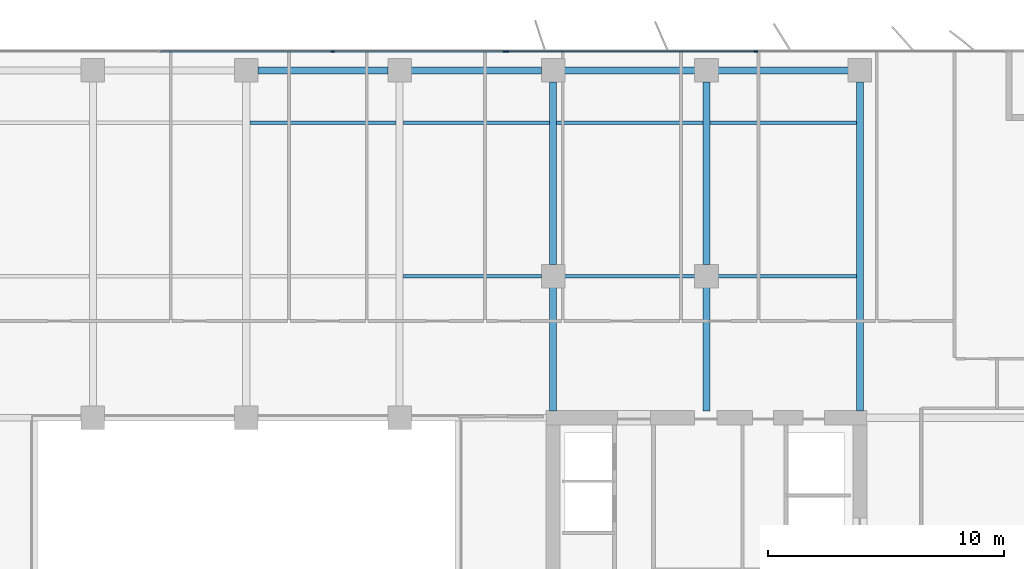
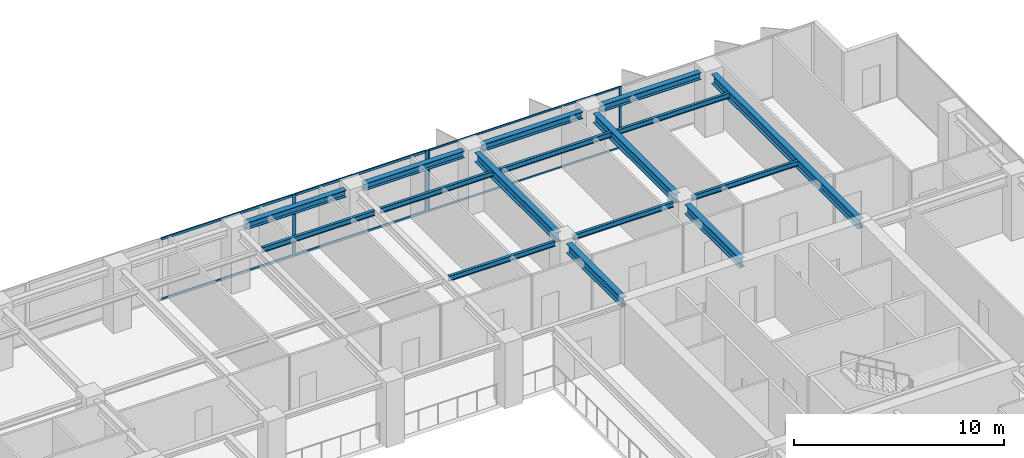
# One storey, part 10 of 22: 16 beams, 10 members, 2 elements without a shape of their own.
"""IFC4 building model written with IfcOpenShell, lengths in metres."""

from ifc_helpers import new_model, si_unit, direction, frame, origin, origin_2d, place, context, subcontext, project, spatial, rectangle, i_section, extrude, material, layer, layer_set, material_profile, profile_set, type_object, element, aggregate, save


model = new_model("IFC4")

# Units and contexts
model_context = context("Model", 3, precision=1e-05, world=origin(), true_north=direction((0.0, 1.0)))
body_context = subcontext(model_context, "Body", "Model", "MODEL_VIEW")
ifc_project = project(units=[si_unit("LENGTHUNIT", "METRE"), si_unit("AREAUNIT", "SQUARE_METRE"), si_unit("VOLUMEUNIT", "CUBIC_METRE"), si_unit("PLANEANGLEUNIT", "RADIAN"), si_unit("MASSUNIT", "GRAM", prefix="KILO")], contexts=[model_context])

# Site, building, storey
site_placement = place(None, origin())
site = spatial("IfcSite", under=ifc_project, at=site_placement, CompositionType="ELEMENT")
building_placement = place(site_placement, origin())
building = spatial("IfcBuilding", under=site, at=building_placement, Name="Putna Gate Headquarters", CompositionType="ELEMENT")
storey_placement = place(building_placement, frame((0.0, 0.0, 189.800048828125)))
storey = spatial("IfcBuildingStorey", under=building, at=storey_placement, Name="L47", CompositionType="ELEMENT", Elevation=189.800048828125)

# Beams
ifc_material_1 = material(Name="Steel S355J2", Category="steel")
ifc_material_profile_1 = material_profile(ifc_material_1, i_section(OverallWidth=0.300048828125, OverallDepth=0.550048828125, WebThickness=0.014892578125, FlangeThickness=0.029052734375, at=origin_2d()), Name="Steel S355J2")
ifc_profile_set_1 = profile_set([ifc_material_profile_1], Name="Steel S355J2")
beam_type_1 = type_object("IfcBeamType", Name="BM-GIRD-Z3-HEB550", PredefinedType="USERDEFINED", material=ifc_profile_set_1)
beam_1_placement = place(storey_placement, frame((52.0, 33.284912109375, 3.296875), z_axis=(0.0, 1.0, 0.0), x_axis=(-1.0, 0.0, 0.0)))
element("IfcBeam", 1, at=beam_1_placement, inside=storey, type_object=beam_type_1, Name="L47 North Primary Girder X52-1", ObjectType="GIRDER", PredefinedType="USERDEFINED", context=body_context, shape_type="SweptSolid", body=[
    extrude(i_section(OverallWidth=0.300048828125, OverallDepth=0.550048828125, WebThickness=0.014892578125, FlangeThickness=0.029052734375, at=origin_2d()), origin(), (0.0, 0.0, 1.0), 5.22705078125),
])
beam_2_placement = place(storey_placement, frame((52.0, 39.488037109375, 3.296875), z_axis=(0.0, 1.0, 0.0), x_axis=(-1.0, 0.0, 0.0)))
element("IfcBeam", 2, at=beam_2_placement, inside=storey, type_object=beam_type_1, Name="L47 North Primary Girder X52-2", ObjectType="GIRDER", PredefinedType="USERDEFINED", context=body_context, shape_type="SweptSolid", body=[
    extrude(i_section(OverallWidth=0.300048828125, OverallDepth=0.550048828125, WebThickness=0.014892578125, FlangeThickness=0.029052734375, at=origin_2d()), origin(), (0.0, 0.0, 1.0), 7.743896484375),
])
beam_3_placement = place(storey_placement, frame((58.5, 33.284912109375, 3.296875), z_axis=(0.0, 1.0, 0.0), x_axis=(-1.0, 0.0, 0.0)))
element("IfcBeam", 3, at=beam_3_placement, inside=storey, type_object=beam_type_1, Name="L47 North Primary Girder X58-1", ObjectType="GIRDER", PredefinedType="USERDEFINED", context=body_context, shape_type="SweptSolid", body=[
    extrude(i_section(OverallWidth=0.300048828125, OverallDepth=0.550048828125, WebThickness=0.014892578125, FlangeThickness=0.029052734375, at=origin_2d()), origin(), (0.0, 0.0, 1.0), 5.22705078125),
])
beam_4_placement = place(storey_placement, frame((58.5, 39.488037109375, 3.296875), z_axis=(0.0, 1.0, 0.0), x_axis=(-1.0, 0.0, 0.0)))
element("IfcBeam", 4, at=beam_4_placement, inside=storey, type_object=beam_type_1, Name="L47 North Primary Girder X58-2", ObjectType="GIRDER", PredefinedType="USERDEFINED", context=body_context, shape_type="SweptSolid", body=[
    extrude(i_section(OverallWidth=0.300048828125, OverallDepth=0.550048828125, WebThickness=0.014892578125, FlangeThickness=0.029052734375, at=origin_2d()), origin(), (0.0, 0.0, 1.0), 7.743896484375),
])
beam_5_placement = place(storey_placement, frame((65.0, 33.284912109375, 3.296875), z_axis=(0.0, 1.0, 0.0), x_axis=(-1.0, 0.0, 0.0)))
element("IfcBeam", 5, at=beam_5_placement, inside=storey, type_object=beam_type_1, Name="L47 North Primary Girder X65", ObjectType="GIRDER", PredefinedType="USERDEFINED", context=body_context, shape_type="SweptSolid", body=[
    extrude(i_section(OverallWidth=0.300048828125, OverallDepth=0.550048828125, WebThickness=0.014892578125, FlangeThickness=0.029052734375, at=origin_2d()), origin(), (0.0, 0.0, 1.0), 13.947021484375),
])
ifc_material_profile_2 = material_profile(ifc_material_1, i_section(OverallWidth=0.14990234375, OverallDepth=0.300048828125, WebThickness=0.007080078125, FlangeThickness=0.0107421875, at=origin_2d()), Name="Steel S355J2")
ifc_profile_set_2 = profile_set([ifc_material_profile_2], Name="Steel S355J2")
beam_type_2 = type_object("IfcBeamType", Name="BM-SEC-Z3-IPE300", PredefinedType="JOIST", material=ifc_profile_set_2)
beam_6_placement = place(storey_placement, frame((39.154052734375, 45.5, 3.421875), z_axis=(1.0, 0.0, 0.0), x_axis=(0.0, 1.0, 0.0)))
element("IfcBeam", 6, at=beam_6_placement, inside=storey, type_object=beam_type_2, Name="L47 North Secondary Beam 5", PredefinedType="JOIST", context=body_context, shape_type="SweptSolid", body=[
    extrude(i_section(OverallWidth=0.14990234375, OverallDepth=0.300048828125, WebThickness=0.007080078125, FlangeThickness=0.0107421875, at=origin_2d()), origin(), (0.0, 0.0, 1.0), 6.19189453125),
])
beam_7_placement = place(storey_placement, frame((45.654052734375, 39.0, 3.421875), z_axis=(1.0, 0.0, 0.0), x_axis=(0.0, 1.0, 0.0)))
element("IfcBeam", 7, at=beam_7_placement, inside=storey, type_object=beam_type_2, Name="L47 North Secondary Beam 6", PredefinedType="JOIST", context=body_context, shape_type="SweptSolid", body=[
    extrude(i_section(OverallWidth=0.14990234375, OverallDepth=0.300048828125, WebThickness=0.007080078125, FlangeThickness=0.0107421875, at=origin_2d()), origin(), (0.0, 0.0, 1.0), 5.85791015625),
])
beam_8_placement = place(storey_placement, frame((45.654052734375, 45.5, 3.421875), z_axis=(1.0, 0.0, 0.0), x_axis=(0.0, 1.0, 0.0)))
element("IfcBeam", 8, at=beam_8_placement, inside=storey, type_object=beam_type_2, Name="L47 North Secondary Beam 6", PredefinedType="JOIST", context=body_context, shape_type="SweptSolid", body=[
    extrude(i_section(OverallWidth=0.14990234375, OverallDepth=0.300048828125, WebThickness=0.007080078125, FlangeThickness=0.0107421875, at=origin_2d()), origin(), (0.0, 0.0, 1.0), 6.19189453125),
])
beam_9_placement = place(storey_placement, frame((52.488037109375, 39.0, 3.421875), z_axis=(1.0, 0.0, 0.0), x_axis=(0.0, 1.0, 0.0)))
element("IfcBeam", 9, at=beam_9_placement, inside=storey, type_object=beam_type_2, Name="L47 North Secondary Beam 7", PredefinedType="JOIST", context=body_context, shape_type="SweptSolid", body=[
    extrude(i_section(OverallWidth=0.14990234375, OverallDepth=0.300048828125, WebThickness=0.007080078125, FlangeThickness=0.0107421875, at=origin_2d()), origin(), (0.0, 0.0, 1.0), 5.52392578125),
])
beam_10_placement = place(storey_placement, frame((52.154052734375, 45.5, 3.421875), z_axis=(1.0, 0.0, 0.0), x_axis=(0.0, 1.0, 0.0)))
element("IfcBeam", 10, at=beam_10_placement, inside=storey, type_object=beam_type_2, Name="L47 North Secondary Beam 7", PredefinedType="JOIST", context=body_context, shape_type="SweptSolid", body=[
    extrude(i_section(OverallWidth=0.14990234375, OverallDepth=0.300048828125, WebThickness=0.007080078125, FlangeThickness=0.0107421875, at=origin_2d()), origin(), (0.0, 0.0, 1.0), 6.19189453125),
])
beam_11_placement = place(storey_placement, frame((58.988037109375, 39.0, 3.421875), z_axis=(1.0, 0.0, 0.0), x_axis=(0.0, 1.0, 0.0)))
element("IfcBeam", 11, at=beam_11_placement, inside=storey, type_object=beam_type_2, Name="L47 North Secondary Beam 8", PredefinedType="JOIST", context=body_context, shape_type="SweptSolid", body=[
    extrude(i_section(OverallWidth=0.14990234375, OverallDepth=0.300048828125, WebThickness=0.007080078125, FlangeThickness=0.0107421875, at=origin_2d()), origin(), (0.0, 0.0, 1.0), 5.85791015625),
])
beam_12_placement = place(storey_placement, frame((58.654052734375, 45.5, 3.421875), z_axis=(1.0, 0.0, 0.0), x_axis=(0.0, 1.0, 0.0)))
element("IfcBeam", 12, at=beam_12_placement, inside=storey, type_object=beam_type_2, Name="L47 North Secondary Beam 8", PredefinedType="JOIST", context=body_context, shape_type="SweptSolid", body=[
    extrude(i_section(OverallWidth=0.14990234375, OverallDepth=0.300048828125, WebThickness=0.007080078125, FlangeThickness=0.0107421875, at=origin_2d()), origin(), (0.0, 0.0, 1.0), 6.19189453125),
])
ifc_material_profile_3 = material_profile(ifc_material_1, i_section(OverallWidth=0.300048828125, OverallDepth=0.39990234375, WebThickness=0.013427734375, FlangeThickness=0.02392578125, at=origin_2d()), Name="Steel S355J2")
ifc_profile_set_3 = profile_set([ifc_material_profile_3], Name="Steel S355J2")
beam_type_3 = type_object("IfcBeamType", Name="BM-SPAN-Z3-HEB400", PredefinedType="SPANDREL", material=ifc_profile_set_3)
for number, where, z_axis, x_axis, name in (
    (13, (39.488037109375, 47.719970703125, 3.3720703125), (1.0, 0.0, 0.0), (0.0, 1.0, 0.0), "L47 N Perimeter Spandrel 5"),
    (14, (45.988037109375, 47.719970703125, 3.3720703125), (1.0, 0.0, 0.0), (0.0, 1.0, 0.0), "L47 N Perimeter Spandrel 6"),
    (15, (52.488037109375, 47.719970703125, 3.3720703125), (1.0, 0.0, 0.0), (0.0, 1.0, 0.0), "L47 N Perimeter Spandrel 7"),
    (16, (58.988037109375, 47.719970703125, 3.3720703125), (1.0, 0.0, 0.0), (0.0, 1.0, 0.0), "L47 N Perimeter Spandrel 8"),
):
    element("IfcBeam", number, at=place(storey_placement, frame(where, z_axis=z_axis, x_axis=x_axis)), inside=storey, type_object=beam_type_3, Name=name, PredefinedType="SPANDREL", context=body_context, shape_type="SweptSolid", body=[
        extrude(i_section(OverallWidth=0.300048828125, OverallDepth=0.39990234375, WebThickness=0.013427734375, FlangeThickness=0.02392578125, at=origin_2d()), origin(), (0.0, 0.0, 1.0), 5.52392578125),
    ])

# Curtain wall, members
ifc_material_2 = material(Name="Anodised bronze aluminium curtain wall", Category="aluminium")
ifc_layer_1 = layer(ifc_material_2, 0.159912109375)
ifc_layer_set_1 = layer_set([ifc_layer_1], Name="Anodised bronze aluminium curtain wall")
curtain_wall_type_1 = type_object("IfcCurtainWallType", Name="CW-SYS-Z3", PredefinedType="USERDEFINED", material=ifc_layer_set_1)
curtain_wall_1_placement = place(storey_placement, origin())
curtain_wall_1 = element("IfcCurtainWall", 17, at=curtain_wall_1_placement, inside=storey, type_object=curtain_wall_type_1, Name="L47 North East Curtain Wall", ObjectType="STICK CURTAIN WALL", PredefinedType="USERDEFINED")
ifc_material_3 = material(Name="Anodised bronze aluminium EN AW-6060", Category="aluminium")
ifc_material_profile_4 = material_profile(ifc_material_3, rectangle(XDim=0.06494140625, YDim=0.159912109375, at=origin_2d()), Name="Anodised bronze aluminium EN AW-6060")
ifc_profile_set_4 = profile_set([ifc_material_profile_4], Name="Anodised bronze aluminium EN AW-6060")
member_type_1 = type_object("IfcMemberType", Name="MULL-CWM-3", PredefinedType="MULLION", material=ifc_profile_set_4)
member_1_placement = place(storey_placement, frame((50.032470703125, 48.52001953125, 0.0), z_axis=(0.0, 0.0, 1.0), x_axis=(0.0, 1.0, 0.0)))
member_1 = element("IfcMember", 18, at=member_1_placement, type_object=member_type_1, Name="CWS-3 mullion 1", PredefinedType="MULLION", context=body_context, shape_type="SweptSolid", body=[
    extrude(rectangle(XDim=0.06494140625, YDim=0.159912109375, at=origin_2d()), origin(), (0.0, 0.0, 1.0), 3.572021484375),
])
member_2_placement = place(storey_placement, frame((60.60009765625, 48.52001953125, 0.0), z_axis=(0.0, 0.0, 1.0), x_axis=(0.0, 1.0, 0.0)))
member_2 = element("IfcMember", 19, at=member_2_placement, type_object=member_type_1, Name="CWS-3 mullion 2", PredefinedType="MULLION", context=body_context, shape_type="SweptSolid", body=[
    extrude(rectangle(XDim=0.06494140625, YDim=0.159912109375, at=origin_2d()), origin(), (0.0, 0.0, 1.0), 3.572021484375),
])

ifc_layer_2 = layer(ifc_material_2, 0.179931640625)
ifc_layer_set_2 = layer_set([ifc_layer_2], Name="Anodised bronze aluminium curtain wall")
curtain_wall_type_2 = type_object("IfcCurtainWallType", Name="CW-SYS-ATR", PredefinedType="USERDEFINED", material=ifc_layer_set_2)
curtain_wall_2_placement = place(storey_placement, origin())
curtain_wall_2 = element("IfcCurtainWall", 20, at=curtain_wall_2_placement, inside=storey, type_object=curtain_wall_type_2, Name="L47 North Atrium Clear Glazing", ObjectType="ATRIUM GLAZING", PredefinedType="USERDEFINED")
ifc_material_profile_5 = material_profile(ifc_material_3, rectangle(XDim=0.070068359375, YDim=0.179931640625, at=origin_2d()), Name="Anodised bronze aluminium EN AW-6060")
ifc_profile_set_5 = profile_set([ifc_material_profile_5], Name="Anodised bronze aluminium EN AW-6060")
member_type_2 = type_object("IfcMemberType", Name="MULL-CWM-AT", PredefinedType="MULLION", material=ifc_profile_set_5)
member_3_placement = place(storey_placement, frame((42.666748046875, 48.52001953125, 0.0), z_axis=(0.0, 0.0, 1.0), x_axis=(0.0, 1.0, 0.0)))
member_3 = element("IfcMember", 21, at=member_3_placement, type_object=member_type_2, Name="CWS-AT mullion 3", PredefinedType="MULLION", context=body_context, shape_type="SweptSolid", body=[
    extrude(rectangle(XDim=0.070068359375, YDim=0.179931640625, at=origin_2d()), origin(), (0.0, 0.0, 1.0), 3.572021484375),
])
member_4_placement = place(storey_placement, frame((49.965087890625, 48.52001953125, 0.0), z_axis=(0.0, 0.0, 1.0), x_axis=(0.0, 1.0, 0.0)))
member_4 = element("IfcMember", 22, at=member_4_placement, type_object=member_type_2, Name="CWS-AT mullion 4", PredefinedType="MULLION", context=body_context, shape_type="SweptSolid", body=[
    extrude(rectangle(XDim=0.070068359375, YDim=0.179931640625, at=origin_2d()), origin(), (0.0, 0.0, 1.0), 3.572021484375),
])

# Member
ifc_material_profile_6 = material_profile(ifc_material_3, rectangle(XDim=0.06005859375, YDim=0.10009765625, at=origin_2d()), Name="Anodised bronze aluminium EN AW-6060")
ifc_profile_set_6 = profile_set([ifc_material_profile_6], Name="Anodised bronze aluminium EN AW-6060")
member_type_3 = type_object("IfcMemberType", Name="TRAN-CWT-3", PredefinedType="USERDEFINED", material=ifc_profile_set_6)
member_5_placement = place(storey_placement, frame((50.06494140625, 48.52001953125, 0.030029296875), z_axis=(1.0, 0.0, 0.0), x_axis=(0.0, 1.0, 0.0)))
member_5 = element("IfcMember", 23, at=member_5_placement, type_object=member_type_3, Name="CWS-3 transom 1.1", ObjectType="TRANSOM", PredefinedType="USERDEFINED", context=body_context, shape_type="SweptSolid", body=[
    extrude(rectangle(XDim=0.06005859375, YDim=0.10009765625, at=origin_2d()), origin(), (0.0, 0.0, 1.0), 10.50244140625),
])

member_6_placement = place(storey_placement, frame((50.06494140625, 48.52001953125, 3.5419921875), z_axis=(1.0, 0.0, 0.0), x_axis=(0.0, 1.0, 0.0)))
member_6 = element("IfcMember", 24, at=member_6_placement, type_object=member_type_3, Name="CWS-3 transom 1.2", ObjectType="TRANSOM", PredefinedType="USERDEFINED", context=body_context, shape_type="SweptSolid", body=[
    extrude(rectangle(XDim=0.06005859375, YDim=0.10009765625, at=origin_2d()), origin(), (0.0, 0.0, 1.0), 10.50244140625),
])

aggregate(curtain_wall_1, [member_1, member_2, member_5, member_6])

ifc_material_profile_7 = material_profile(ifc_material_3, rectangle(XDim=0.070068359375, YDim=0.139892578125, at=origin_2d()), Name="Anodised bronze aluminium EN AW-6060")
ifc_profile_set_7 = profile_set([ifc_material_profile_7], Name="Anodised bronze aluminium EN AW-6060")
member_type_4 = type_object("IfcMemberType", Name="TRAN-CWT-AT", PredefinedType="USERDEFINED", material=ifc_profile_set_7)
member_7_placement = place(storey_placement, frame((35.368408203125, 48.52001953125, 0.034912109375), z_axis=(1.0, 0.0, 0.0), x_axis=(0.0, 1.0, 0.0)))
member_7 = element("IfcMember", 25, at=member_7_placement, type_object=member_type_4, Name="CWS-AT transom 2.1", ObjectType="TRANSOM", PredefinedType="USERDEFINED", context=body_context, shape_type="SweptSolid", body=[
    extrude(rectangle(XDim=0.070068359375, YDim=0.139892578125, at=origin_2d()), origin(), (0.0, 0.0, 1.0), 7.26318359375),
])

member_8_placement = place(storey_placement, frame((35.368408203125, 48.52001953125, 3.536865234375), z_axis=(1.0, 0.0, 0.0), x_axis=(0.0, 1.0, 0.0)))
member_8 = element("IfcMember", 26, at=member_8_placement, type_object=member_type_4, Name="CWS-AT transom 2.2", ObjectType="TRANSOM", PredefinedType="USERDEFINED", context=body_context, shape_type="SweptSolid", body=[
    extrude(rectangle(XDim=0.070068359375, YDim=0.139892578125, at=origin_2d()), origin(), (0.0, 0.0, 1.0), 7.26318359375),
])

member_9_placement = place(storey_placement, frame((42.70166015625, 48.52001953125, 0.034912109375), z_axis=(1.0, 0.0, 0.0), x_axis=(0.0, 1.0, 0.0)))
member_9 = element("IfcMember", 27, at=member_9_placement, type_object=member_type_4, Name="CWS-AT transom 3.1", ObjectType="TRANSOM", PredefinedType="USERDEFINED", context=body_context, shape_type="SweptSolid", body=[
    extrude(rectangle(XDim=0.070068359375, YDim=0.139892578125, at=origin_2d()), origin(), (0.0, 0.0, 1.0), 7.228271484375),
])

member_10_placement = place(storey_placement, frame((42.70166015625, 48.52001953125, 3.536865234375), z_axis=(1.0, 0.0, 0.0), x_axis=(0.0, 1.0, 0.0)))
member_10 = element("IfcMember", 28, at=member_10_placement, type_object=member_type_4, Name="CWS-AT transom 3.2", ObjectType="TRANSOM", PredefinedType="USERDEFINED", context=body_context, shape_type="SweptSolid", body=[
    extrude(rectangle(XDim=0.070068359375, YDim=0.139892578125, at=origin_2d()), origin(), (0.0, 0.0, 1.0), 7.228271484375),
])

aggregate(curtain_wall_2, [member_3, member_4, member_7, member_8, member_9, member_10])

save(model, "model.ifc")
